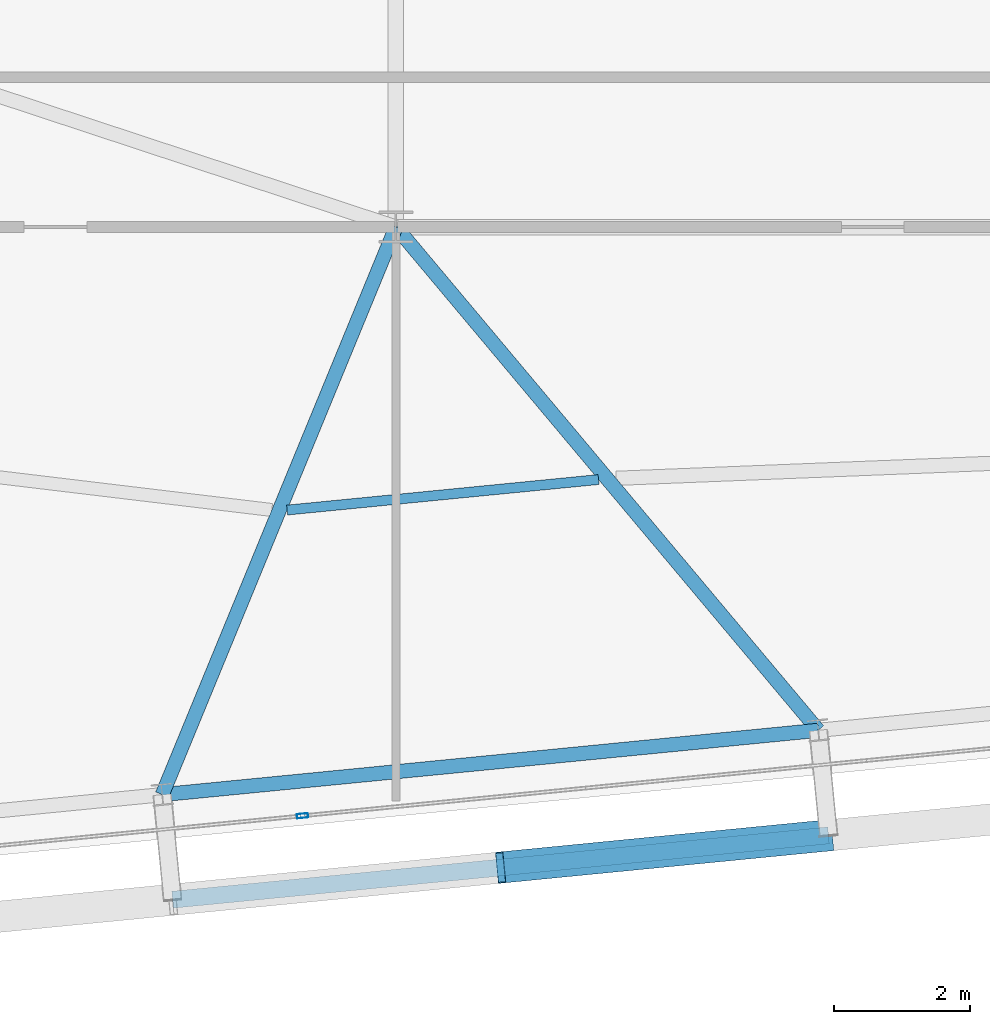
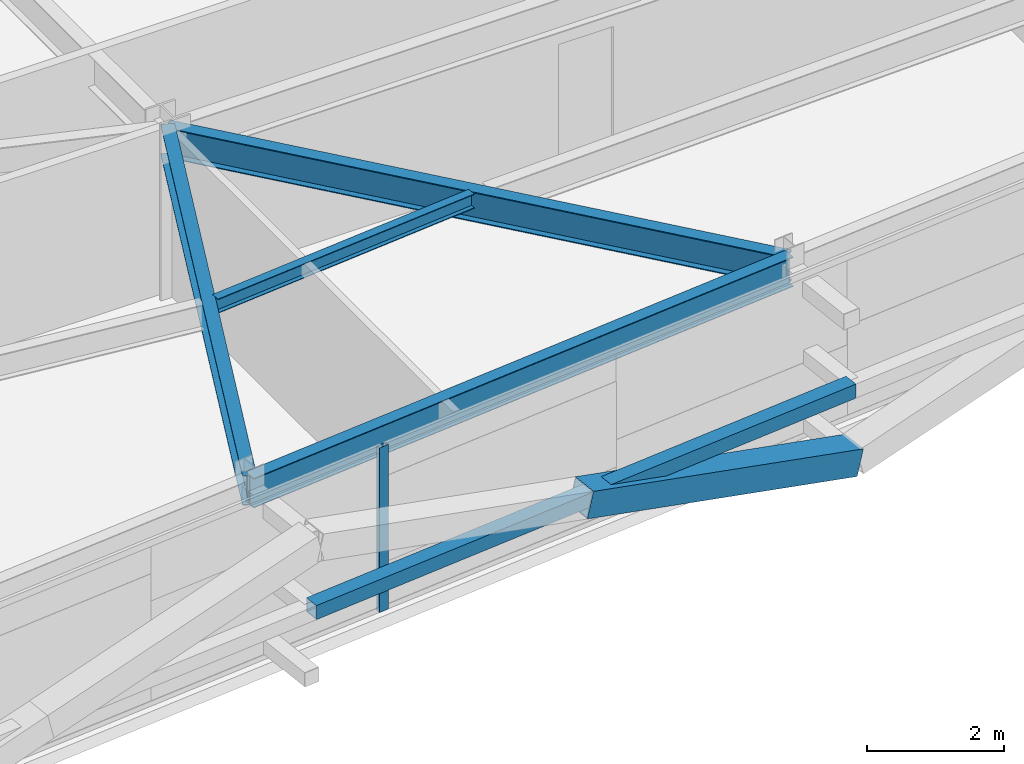
# One storey, part 9 of 47: 4 beams, 3 members, 1 element without a shape of its own.
"""IFC4 building model written with IfcOpenShell, lengths in metres."""

from ifc_helpers import new_model, si_unit, direction, frame, origin, origin_2d, place, context, subcontext, project, spatial, hollow_rectangle, i_section, extrude, source, transform, mapped, material, layer, layer_set, material_profile, profile_set, type_object, element, aggregate, save


model = new_model("IFC4")

# Units and contexts
model_context = context("Model", 3, precision=1e-05, world=origin(), true_north=direction((0.0, 1.0)))
body_context = subcontext(model_context, "Body", "Model", "MODEL_VIEW")
ifc_project = project(units=[si_unit("LENGTHUNIT", "METRE"), si_unit("AREAUNIT", "SQUARE_METRE"), si_unit("VOLUMEUNIT", "CUBIC_METRE"), si_unit("PLANEANGLEUNIT", "RADIAN"), si_unit("MASSUNIT", "GRAM", prefix="KILO")], contexts=[model_context])

# Site, building, storey
site_placement = place(None, origin())
site = spatial("IfcSite", under=ifc_project, at=site_placement, CompositionType="ELEMENT")
building_placement = place(site_placement, origin())
building = spatial("IfcBuilding", under=site, at=building_placement, Name="Taldren Reach Tower", CompositionType="ELEMENT")
storey_placement = place(building_placement, frame((0.0, 0.0, 106.050048828125)))
storey = spatial("IfcBuildingStorey", under=building, at=storey_placement, Name="L32", CompositionType="ELEMENT", Elevation=106.050048828125)

# Beams
ifc_material_1 = material(Name="Steel Gr 350 (350PLUS)", Category="steel")
ifc_material_profile_1 = material_profile(ifc_material_1, i_section(OverallWidth=0.208984375, OverallDepth=0.528076171875, WebThickness=0.009521484375, FlangeThickness=0.01318359375, at=origin_2d()), Name="530UB82.0")
ifc_profile_set_1 = profile_set([ifc_material_profile_1], Name="Steel Gr 350 (350PLUS)")
beam_type_1 = type_object("IfcBeamType", Name="SP-UB530B", PredefinedType="SPANDREL", material=ifc_profile_set_1)
shared_shape_1 = source(origin(), body_context, "Body", "SweptSolid", [
    extrude(i_section(OverallWidth=0.208984375, OverallDepth=0.528076171875, WebThickness=0.009521484375, FlangeThickness=0.01318359375, at=origin_2d()), origin(), (0.0, 0.0, 1.0), 9.679931640625),
])
beam_1_placement = place(storey_placement, frame((24.56787109375, 0.86474609375, 2.666015625), z_axis=(0.995227612658, 0.097580730699, 0.0), x_axis=(-0.097580730699, 0.995227612658, 0.0)))
element("IfcBeam", 1, at=beam_1_placement, inside=storey, type_object=beam_type_1, Name="Perimeter spandrel B2 S2-S3 L32", PredefinedType="SPANDREL", context=body_context, shape_type="MappedRepresentation", body=[
    mapped(shared_shape_1, transform((0.0, 0.0, 0.0), scale=1.0)),
])
ifc_material_profile_2 = material_profile(ifc_material_1, i_section(OverallWidth=0.208984375, OverallDepth=0.532958984375, WebThickness=0.01025390625, FlangeThickness=0.015625, at=origin_2d()), Name="530UB92.4")
ifc_profile_set_2 = profile_set([ifc_material_profile_2], Name="Steel Gr 350 (350PLUS)")
beam_type_2 = type_object("IfcBeamType", Name="BM-UB530A", PredefinedType="BEAM", material=ifc_profile_set_2)
shared_shape_2 = source(origin(), body_context, "Body", "SweptSolid", [
    extrude(i_section(OverallWidth=0.208984375, OverallDepth=0.532958984375, WebThickness=0.01025390625, FlangeThickness=0.015625, at=origin_2d()), origin(), (0.0, 0.0, 1.0), 9.01416015625),
])
beam_2_placement = place(storey_placement, frame((28.0, 9.199951171875, 2.663330078125), z_axis=(-0.380748443035, -0.924678659387, 0.0), x_axis=(0.924678659387, -0.380748443035, 0.0)))
element("IfcBeam", 2, at=beam_2_placement, inside=storey, type_object=beam_type_2, Name="Primary floor girder B2-S2 L32", PredefinedType="BEAM", context=body_context, shape_type="MappedRepresentation", body=[
    mapped(shared_shape_2, transform((0.0, 0.0, 0.0), scale=1.0)),
])
shared_shape_3 = source(origin(), body_context, "Body", "SweptSolid", [
    extrude(i_section(OverallWidth=0.208984375, OverallDepth=0.532958984375, WebThickness=0.01025390625, FlangeThickness=0.015625, at=origin_2d()), origin(), (0.0, 0.0, 1.0), 9.64794921875),
])
beam_3_placement = place(storey_placement, frame((28.0, 9.199951171875, 2.663330078125), z_axis=(0.642799132398, -0.766034774268, 0.0), x_axis=(0.766034774268, 0.642799132398, 0.0)))
element("IfcBeam", 3, at=beam_3_placement, inside=storey, type_object=beam_type_2, Name="Primary floor girder B2-S3 L32", PredefinedType="BEAM", context=body_context, shape_type="MappedRepresentation", body=[
    mapped(shared_shape_3, transform((0.0, 0.0, 0.0), scale=1.0)),
])
ifc_material_2 = material(Name="Steel Gr 300 (300PLUS, 300 MPa)", Category="steel")
ifc_material_profile_3 = material_profile(ifc_material_2, i_section(OverallWidth=0.14599609375, OverallDepth=0.256103515625, WebThickness=0.00634765625, FlangeThickness=0.010986328125, at=origin_2d()), Name="250UB37.3")
ifc_profile_set_3 = profile_set([ifc_material_profile_3], Name="Steel Gr 300 (300PLUS, 300 MPa)")
beam_type_3 = type_object("IfcBeamType", Name="JS-UB250", PredefinedType="JOIST", material=ifc_profile_set_3)
shared_shape_4 = source(origin(), body_context, "Body", "SweptSolid", [
    extrude(i_section(OverallWidth=0.14599609375, OverallDepth=0.256103515625, WebThickness=0.00634765625, FlangeThickness=0.010986328125, at=origin_2d()), origin(), (0.0, 0.0, 1.0), 4.594970703125),
])
beam_4_placement = place(storey_placement, frame((26.40185546875, 5.0439453125, 2.802001953125), z_axis=(0.995230447096, 0.097551817888, 0.0), x_axis=(-0.097551817888, 0.995230447096, 0.0)))
element("IfcBeam", 4, at=beam_4_placement, inside=storey, type_object=beam_type_3, Name="Secondary floor joist B2 J2 L32", PredefinedType="JOIST", context=body_context, shape_type="MappedRepresentation", body=[
    mapped(shared_shape_4, transform((0.0, 0.0, 0.0), scale=1.0)),
])

# Members
ifc_material_3 = material(Name="Steel Gr 450 (C450L0)", Category="steel")
ifc_material_profile_4 = material_profile(ifc_material_3, hollow_rectangle(XDim=0.4599609375, YDim=0.4599609375, WallThickness=0.01611328125, at=origin_2d()), Name="460x460x16.0SHS")
ifc_profile_set_4 = profile_set([ifc_material_profile_4], Name="Steel Gr 450 (C450L0)")
member_type_1 = type_object("IfcMemberType", Name="MB-EXO457", PredefinedType="BRACE", material=ifc_profile_set_4)
shared_shape_5 = source(origin(), body_context, "Body", "SweptSolid", [
    extrude(hollow_rectangle(XDim=0.4599609375, YDim=0.4599609375, WallThickness=0.01611328125, at=origin_2d()), origin(), (0.0, 0.0, 1.0), 4.990234375),
])
member_1_placement = place(storey_placement, frame((34.35302734375, 0.2666015625, 0.219970703125), z_axis=(-0.965275526283, -0.094619506732, 0.243496010862), x_axis=(0.097555749586, -0.995230061706, 0.0)))
element("IfcMember", 5, at=member_1_placement, inside=storey, type_object=member_type_1, Name="Exoskeleton Diagrid Brace B2-S2 L32", PredefinedType="BRACE", context=body_context, shape_type="MappedRepresentation", body=[
    mapped(shared_shape_5, transform((0.0, 0.0, 0.0), scale=1.0)),
])
ifc_material_4 = material(Name="Steel Gr 350 (C350L0)", Category="steel")
ifc_material_profile_5 = material_profile(ifc_material_4, hollow_rectangle(XDim=0.25, YDim=0.25, WallThickness=0.010009765625, at=origin_2d()), Name="250x250x10.0SHS")
ifc_profile_set_5 = profile_set([ifc_material_profile_5], Name="Steel Gr 350 (C350L0)")
member_type_2 = type_object("IfcMemberType", Name="MB-POST250", PredefinedType="POST", material=ifc_profile_set_5)
shared_shape_6 = source(origin(), body_context, "Body", "SweptSolid", [
    extrude(hollow_rectangle(XDim=0.25, YDim=0.25, WallThickness=0.010009765625, at=origin_2d()), origin(), (0.0, 0.0, 1.0), 9.679931640625),
])
member_2_placement = place(storey_placement, frame((24.71923828125, -0.677978515625, 1.43505859375), z_axis=(0.995227612658, 0.097580730699, 0.0), x_axis=(-0.097580730699, 0.995227612658, 0.0)))
element("IfcMember", 6, at=member_2_placement, inside=storey, type_object=member_type_2, Name="Exoskeleton mid-height ring chord B2-S2 L32", PredefinedType="POST", context=body_context, shape_type="MappedRepresentation", body=[
    mapped(shared_shape_6, transform((0.0, 0.0, 0.0), scale=1.0)),
])

# Curtain wall, member
ifc_material_5 = material(Name="Aluminium and Low-E Glass Unitised System", Category="aluminium")
ifc_layer = layer(ifc_material_5, 0.159912109375)
ifc_layer_set = layer_set([ifc_layer], Name="Aluminium and Low-E Glass Unitised System")
curtain_wall_type = type_object("IfcCurtainWallType", Name="CW-SYS-3", PredefinedType="NOTDEFINED", material=ifc_layer_set)
curtain_wall_placement = place(storey_placement, origin())
curtain_wall = element("IfcCurtainWall", 7, at=curtain_wall_placement, inside=storey, type_object=curtain_wall_type, Name="Unitised curtain wall CW-L32-S", PredefinedType="NOTDEFINED")
ifc_material_6 = material(Name="Anodised Aluminium 6063-T6", Category="aluminium")
ifc_material_profile_6 = material_profile(ifc_material_6, hollow_rectangle(XDim=0.06494140625, YDim=0.1650390625, WallThickness=0.00390625, at=origin_2d()), Name="ALU-165x65x4RHS")
ifc_profile_set_6 = profile_set([ifc_material_profile_6], Name="Anodised Aluminium 6063-T6")
member_type_3 = type_object("IfcMemberType", Name="CW-MUL-165", PredefinedType="MULLION", material=ifc_profile_set_6)
shared_shape_7 = source(origin(), body_context, "Body", "SweptSolid", [
    extrude(hollow_rectangle(XDim=0.06494140625, YDim=0.1650390625, WallThickness=0.00390625, at=origin_2d()), origin(), (0.0, 0.0, 1.0), 2.929931640625),
])
member_3_placement = place(storey_placement, frame((26.628173828125, 0.55419921875, 0.0), z_axis=(0.0, 0.0, 1.0), x_axis=(-0.097582999046, 0.995227390247, 0.0)))
member_3 = element("IfcMember", 8, at=member_3_placement, type_object=member_type_3, Name="CW-3 mullion 2", PredefinedType="MULLION", context=body_context, shape_type="MappedRepresentation", body=[
    mapped(shared_shape_7, transform((0.0, 0.0, 0.0), scale=1.0)),
])
aggregate(curtain_wall, [member_3])

save(model, "model.ifc")
